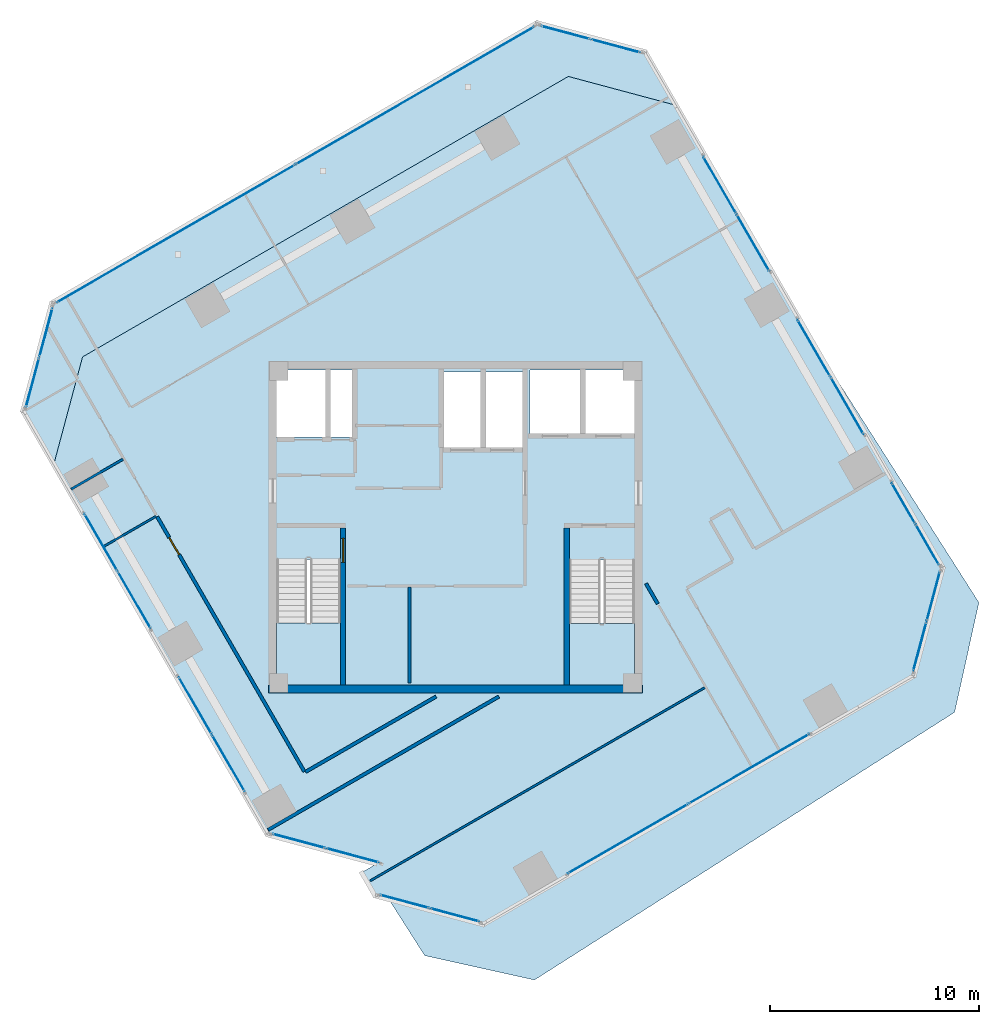
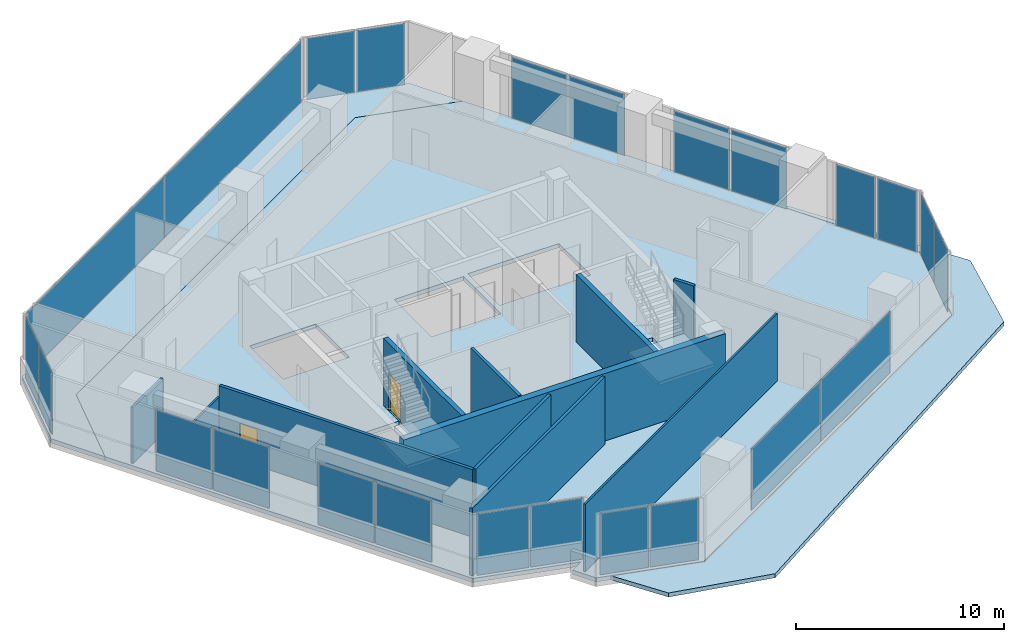
# One storey, part 11 of 16: 24 plates, 11 walls, 5 slabs, 2 doors, 2 openings, 14 elements without a shape of their own.
"""IFC4 building model written with IfcOpenShell, lengths in metres."""

from ifc_helpers import new_model, si_unit, direction, frame, frame_2d, origin, origin_2d, place, context, subcontext, project, spatial, polyline, rectangle, outline, extrude, source, transform, mapped, material, layer, layer_set, type_object, element, fill, aggregate, save


model = new_model("IFC4")

# Units and contexts
model_context = context("Model", 3, precision=1e-05, world=origin(), true_north=direction((0.0, 1.0)))
body_context = subcontext(model_context, "Body", "Model", "MODEL_VIEW")
ifc_project = project(units=[si_unit("LENGTHUNIT", "METRE"), si_unit("AREAUNIT", "SQUARE_METRE"), si_unit("VOLUMEUNIT", "CUBIC_METRE"), si_unit("PLANEANGLEUNIT", "RADIAN"), si_unit("MASSUNIT", "GRAM", prefix="KILO")], contexts=[model_context])

# Site, building, storey
site_placement = place(None, origin())
site = spatial("IfcSite", under=ifc_project, at=site_placement, CompositionType="ELEMENT")
building_placement = place(site_placement, origin())
building = spatial("IfcBuilding", under=site, at=building_placement, Name="Torre Montelarca", CompositionType="ELEMENT")
storey_placement = place(building_placement, frame((0.0, 0.0, 319.800048828125)))
storey = spatial("IfcBuildingStorey", under=building, at=storey_placement, Name="L72", CompositionType="ELEMENT", Elevation=319.800048828125)

# Slabs
ifc_material_1 = material(Name="Concrete C40/50", Category="concrete")
ifc_layer_1 = layer(ifc_material_1, 0.239990234375, Name="Concrete C40/50", Category="concrete")
ifc_layer_set_1 = layer_set([ifc_layer_1], Name="Concrete C40/50")
slab_type_1 = type_object("IfcSlabType", Name="SL-FLR-240", PredefinedType="FLOOR", material=ifc_layer_set_1)
slab_1_placement = place(storey_placement, frame((0.0, 0.0, -0.239990234375)))
element("IfcSlab", 1, at=slab_1_placement, inside=storey, type_object=slab_type_1, Name="L72 Structural Floor Slab", PredefinedType="FLOOR", context=body_context, shape_type="SweptSolid", body=[
    extrude(outline(polyline([(8.98828125, 17.270751953125), (14.17919921875, 15.8798828125), (13.486328125, 15.47998046875), (14.136474609375, 14.35400390625), (19.327392578125, 12.963134765625), (39.938720703125, 24.86328125), (41.32958984375, 30.05419921875), (28.57958984375, 52.1376953125), (23.388671875, 53.528564453125), (0.17919921875, 40.128662109375), (-1.211669921875, 34.937744140625), (8.98828125, 17.270751953125)]), holes=[polyline([(26.550048828125, 24.449951171875), (23.43994140625, 24.449951171875), (23.43994140625, 30.429931640625), (26.550048828125, 30.429931640625), (26.550048828125, 24.449951171875)]), polyline([(12.5, 24.449951171875), (9.449951171875, 24.449951171875), (9.449951171875, 30.4599609375), (12.5, 30.4599609375), (12.5, 24.449951171875)]), polyline([(21.25, 39.39990234375), (21.25, 35.800048828125), (17.39990234375, 35.800048828125), (17.39990234375, 39.39990234375), (21.25, 39.39990234375)]), polyline([(13.1201171875, 36.300048828125), (9.449951171875, 36.300048828125), (9.449951171875, 39.5), (13.1201171875, 39.5), (13.1201171875, 36.300048828125)]), polyline([(26.60009765625, 36.449951171875), (21.550048828125, 36.449951171875), (21.550048828125, 39.5), (26.60009765625, 39.5), (26.60009765625, 36.449951171875)])]), origin(), (0.0, 0.0, 1.0), 0.239990234375),
])
slab_2_placement = place(storey_placement, frame((0.0, 0.0, -0.239990234375)))
element("IfcSlab", 2, at=slab_2_placement, inside=storey, type_object=slab_type_1, Name="L72 Sliding Tray Winter Garden Floor Slab W1", PredefinedType="FLOOR", context=body_context, shape_type="SweptSolid", body=[
    extrude(outline(polyline([(-1.211669921875, 34.937744140625), (0.17919921875, 40.128662109375), (23.388671875, 53.528564453125), (28.57958984375, 52.1376953125), (27.07958984375, 54.73583984375), (21.888671875, 56.126708984375), (-1.32080078125, 42.726806640625), (-2.711669921875, 37.535888671875), (-1.211669921875, 34.937744140625)])), origin(), (0.0, 0.0, 1.0), 0.239990234375),
])
ifc_material_2 = material(Name="Architectural concrete C40/50", Category="concrete")
ifc_layer_2 = layer(ifc_material_2, 0.239990234375, Name="Architectural concrete C40/50", Category="concrete")
ifc_layer_set_2 = layer_set([ifc_layer_2], Name="Architectural concrete C40/50")
slab_type_2 = type_object("IfcSlabType", Name="SL-ROOF-EXT-240", PredefinedType="ROOF", material=ifc_layer_set_2)
slab_3_placement = place(storey_placement, frame((0.0, 0.0, -0.239990234375)))
element("IfcSlab", 3, at=slab_3_placement, inside=storey, type_object=slab_type_2, Name="L71 Setback and Tray Overhang Roof Cap Slab 01", PredefinedType="ROOF", context=body_context, shape_type="SweptSolid", body=[
    extrude(outline(polyline([(41.338134765625, 30.05517578125), (39.945556640625, 24.85791015625), (19.328369140625, 12.95458984375), (14.845458984375, 14.15576171875), (16.52490234375, 11.51953125), (21.771728515625, 10.3564453125), (41.844482421875, 23.14404296875), (43.007568359375, 28.390625), (35.451416015625, 40.251708984375), (41.338134765625, 30.05517578125)])), origin(), (0.0, 0.0, 1.0), 0.239990234375),
])

# Stair, slab
stair_type_1 = type_object("IfcStairType", Name="ST-CORE-ST1", PredefinedType="HALF_TURN_STAIR", material=ifc_material_1)
stair_1_placement = place(storey_placement, origin())
stair_1 = element("IfcStair", 4, at=stair_1_placement, inside=storey, type_object=stair_type_1, Name="L72 Protected Exit Stair ST1", PredefinedType="HALF_TURN_STAIR")
ifc_layer_3 = layer(ifc_material_1, 0.199951171875, Name="Concrete C40/50", Category="concrete")
ifc_layer_set_3 = layer_set([ifc_layer_3], Name="Concrete C40/50")
slab_type_3 = type_object("IfcSlabType", Name="SL-ST-LAND-ST1", PredefinedType="LANDING", material=ifc_layer_set_3)
slab_4_placement = place(storey_placement, frame((0.0, 0.0, 1.89990234375)))
slab_4 = element("IfcSlab", 5, at=slab_4_placement, type_object=slab_type_3, Name="ST1 landing 1", PredefinedType="LANDING", context=body_context, shape_type="SweptSolid", body=[
    extrude(outline(polyline([(9.449951171875, 27.419921875), (9.449951171875, 24.449951171875), (12.5, 24.449951171875), (12.5, 27.419921875), (9.449951171875, 27.419921875)])), origin(), (0.0, 0.0, 1.0), 0.199951171875),
])
aggregate(stair_1, [slab_4])

stair_type_2 = type_object("IfcStairType", Name="ST-CORE-ST2", PredefinedType="HALF_TURN_STAIR", material=ifc_material_1)
stair_2_placement = place(storey_placement, origin())
stair_2 = element("IfcStair", 6, at=stair_2_placement, inside=storey, type_object=stair_type_2, Name="L72 Protected Exit Stair ST2", PredefinedType="HALF_TURN_STAIR")
ifc_layer_4 = layer(ifc_material_1, 0.199951171875, Name="Concrete C40/50", Category="concrete")
ifc_layer_set_4 = layer_set([ifc_layer_4], Name="Concrete C40/50")
slab_type_4 = type_object("IfcSlabType", Name="SL-ST-LAND-ST2", PredefinedType="LANDING", material=ifc_layer_set_4)
slab_5_placement = place(storey_placement, frame((0.0, 0.0, 1.89990234375)))
slab_5 = element("IfcSlab", 7, at=slab_5_placement, type_object=slab_type_4, Name="ST2 landing 1", PredefinedType="LANDING", context=body_context, shape_type="SweptSolid", body=[
    extrude(outline(polyline([(23.43994140625, 27.389892578125), (23.43994140625, 24.449951171875), (26.550048828125, 24.449951171875), (26.550048828125, 27.389892578125), (23.43994140625, 27.389892578125)])), origin(), (0.0, 0.0, 1.0), 0.199951171875),
])
aggregate(stair_2, [slab_5])

# Curtain wall, plates
ifc_material_3 = material(Name="Insulated low-E laminated glass", Category="glass")
curtain_wall_type = type_object("IfcCurtainWallType", Name="CW-SYS-Z4", PredefinedType="USERDEFINED", material=ifc_material_3)
curtain_wall_1_placement = place(storey_placement, origin())
curtain_wall_1 = element("IfcCurtainWall", 8, at=curtain_wall_1_placement, inside=storey, type_object=curtain_wall_type, Name="L72 Curtain Wall Run CW-T3-L72-E02-B1", ObjectType="UNITISED GLAZING", PredefinedType="USERDEFINED")
ifc_layer_5 = layer(ifc_material_3, 0.035888671875, Name="Insulated low-E laminated glass", Category="glass")
ifc_layer_set_5 = layer_set([ifc_layer_5], Name="Insulated low-E laminated glass")
plate_type = type_object("IfcPlateType", Name="CWP-GLZ-36", PredefinedType="CURTAIN_PANEL", material=ifc_layer_set_5)
shared_shape_1 = source(origin(), body_context, "Body", "SweptSolid", [
    extrude(rectangle(XDim=2.592529296875, YDim=0.035888671875, at=origin_2d()), origin(), (0.0, 0.0, 1.0), 3.590087890625),
])
plate_1_placement = place(storey_placement, frame((10.506591796875, 16.99853515625, 0.06494140625), z_axis=(0.0, 0.0, 1.0), x_axis=(0.965925609095, -0.25881985568, 0.0)))
plate_1 = element("IfcPlate", 9, at=plate_1_placement, type_object=plate_type, Name="CW panel 1.1", PredefinedType="CURTAIN_PANEL", context=body_context, shape_type="MappedRepresentation", body=[
    mapped(shared_shape_1, transform((0.0, 0.0, 0.0), scale=1.0)),
])
plate_2_placement = place(storey_placement, frame((13.083251953125, 16.30810546875, 0.06494140625), z_axis=(0.0, 0.0, 1.0), x_axis=(0.965925609095, -0.25881985568, 0.0)))
plate_2 = element("IfcPlate", 10, at=plate_2_placement, type_object=plate_type, Name="CW panel 2.1", PredefinedType="CURTAIN_PANEL", context=body_context, shape_type="MappedRepresentation", body=[
    mapped(shared_shape_1, transform((0.0, 0.0, 0.0), scale=1.0)),
])
aggregate(curtain_wall_1, [plate_1, plate_2])

curtain_wall_2_placement = place(storey_placement, origin())
curtain_wall_2 = element("IfcCurtainWall", 11, at=curtain_wall_2_placement, inside=storey, type_object=curtain_wall_type, Name="L72 Curtain Wall Run CW-T3-L72-E05-B1", ObjectType="UNITISED GLAZING", PredefinedType="USERDEFINED")
shared_shape_2 = source(origin(), body_context, "Body", "SweptSolid", [
    extrude(rectangle(XDim=2.40869140625, YDim=0.035888671875, at=origin_2d()), origin(), (0.0, 0.0, 1.0), 3.590087890625),
])
plate_3_placement = place(storey_placement, frame((15.56591796875, 14.105712890625, 0.06494140625), z_axis=(0.0, 0.0, 1.0), x_axis=(0.965926805359, -0.258815391137, 0.0)))
plate_3 = element("IfcPlate", 12, at=plate_3_placement, type_object=plate_type, Name="CW panel 1.1", PredefinedType="CURTAIN_PANEL", context=body_context, shape_type="MappedRepresentation", body=[
    mapped(shared_shape_2, transform((0.0, 0.0, 0.0), scale=1.0)),
])
plate_4_placement = place(storey_placement, frame((17.965087890625, 13.462890625, 0.06494140625), z_axis=(0.0, 0.0, 1.0), x_axis=(0.965926805359, -0.258815391137, 0.0)))
plate_4 = element("IfcPlate", 13, at=plate_4_placement, type_object=plate_type, Name="CW panel 2.1", PredefinedType="CURTAIN_PANEL", context=body_context, shape_type="MappedRepresentation", body=[
    mapped(shared_shape_2, transform((0.0, 0.0, 0.0), scale=1.0)),
])
aggregate(curtain_wall_2, [plate_3, plate_4])

curtain_wall_3_placement = place(storey_placement, origin())
curtain_wall_3 = element("IfcCurtainWall", 14, at=curtain_wall_3_placement, inside=storey, type_object=curtain_wall_type, Name="L72 Curtain Wall Run CW-T3-L72-E07-B1", ObjectType="UNITISED GLAZING", PredefinedType="USERDEFINED")
plate_5_placement = place(storey_placement, frame((40.187255859375, 26.292724609375, 0.06494140625), z_axis=(0.0, 0.0, 1.0), x_axis=(0.258815391137, 0.965926805359, 0.0)))
plate_5 = element("IfcPlate", 15, at=plate_5_placement, type_object=plate_type, Name="CW panel 1.1", PredefinedType="CURTAIN_PANEL", context=body_context, shape_type="MappedRepresentation", body=[
    mapped(shared_shape_2, transform((0.0, 0.0, 0.0), scale=1.0)),
])
plate_6_placement = place(storey_placement, frame((40.830078125, 28.69189453125, 0.06494140625), z_axis=(0.0, 0.0, 1.0), x_axis=(0.258815391137, 0.965926805359, 0.0)))
plate_6 = element("IfcPlate", 16, at=plate_6_placement, type_object=plate_type, Name="CW panel 2.1", PredefinedType="CURTAIN_PANEL", context=body_context, shape_type="MappedRepresentation", body=[
    mapped(shared_shape_2, transform((0.0, 0.0, 0.0), scale=1.0)),
])
aggregate(curtain_wall_3, [plate_5, plate_6])

curtain_wall_4_placement = place(storey_placement, origin())
curtain_wall_4 = element("IfcCurtainWall", 17, at=curtain_wall_4_placement, inside=storey, type_object=curtain_wall_type, Name="L72 Curtain Wall Run CW-T3-L72-E09-B1", ObjectType="UNITISED GLAZING", PredefinedType="USERDEFINED")
plate_7_placement = place(storey_placement, frame((25.64990234375, 54.984375, 0.06494140625), z_axis=(0.0, 0.0, 1.0), x_axis=(-0.965926805359, 0.258815391137, 0.0)))
plate_7 = element("IfcPlate", 18, at=plate_7_placement, type_object=plate_type, Name="CW panel 1.1", PredefinedType="CURTAIN_PANEL", context=body_context, shape_type="MappedRepresentation", body=[
    mapped(shared_shape_2, transform((0.0, 0.0, 0.0), scale=1.0)),
])
plate_8_placement = place(storey_placement, frame((23.2509765625, 55.627197265625, 0.06494140625), z_axis=(0.0, 0.0, 1.0), x_axis=(-0.965926805359, 0.258815391137, 0.0)))
plate_8 = element("IfcPlate", 19, at=plate_8_placement, type_object=plate_type, Name="CW panel 2.1", PredefinedType="CURTAIN_PANEL", context=body_context, shape_type="MappedRepresentation", body=[
    mapped(shared_shape_2, transform((0.0, 0.0, 0.0), scale=1.0)),
])
aggregate(curtain_wall_4, [plate_7, plate_8])

curtain_wall_5_placement = place(storey_placement, origin())
curtain_wall_5 = element("IfcCurtainWall", 20, at=curtain_wall_5_placement, inside=storey, type_object=curtain_wall_type, Name="L72 Curtain Wall Run CW-T3-L72-E11-B1", ObjectType="UNITISED GLAZING", PredefinedType="USERDEFINED")
plate_9_placement = place(storey_placement, frame((-1.5693359375, 41.297119140625, 0.06494140625), z_axis=(0.0, 0.0, 1.0), x_axis=(-0.258815391137, -0.965926805359, 0.0)))
plate_9 = element("IfcPlate", 21, at=plate_9_placement, type_object=plate_type, Name="CW panel 1.1", PredefinedType="CURTAIN_PANEL", context=body_context, shape_type="MappedRepresentation", body=[
    mapped(shared_shape_2, transform((0.0, 0.0, 0.0), scale=1.0)),
])
plate_10_placement = place(storey_placement, frame((-2.212158203125, 38.898193359375, 0.06494140625), z_axis=(0.0, 0.0, 1.0), x_axis=(-0.258815391137, -0.965926805359, 0.0)))
plate_10 = element("IfcPlate", 22, at=plate_10_placement, type_object=plate_type, Name="CW panel 2.1", PredefinedType="CURTAIN_PANEL", context=body_context, shape_type="MappedRepresentation", body=[
    mapped(shared_shape_2, transform((0.0, 0.0, 0.0), scale=1.0)),
])
aggregate(curtain_wall_5, [plate_9, plate_10])

curtain_wall_6_placement = place(storey_placement, origin())
curtain_wall_6 = element("IfcCurtainWall", 23, at=curtain_wall_6_placement, inside=storey, type_object=curtain_wall_type, Name="L72 Curtain Wall Run CW-T3-L72-E10-B1", ObjectType="UNITISED GLAZING", PredefinedType="USERDEFINED")
shared_shape_3 = source(origin(), body_context, "Body", "SweptSolid", [
    extrude(rectangle(XDim=13.12158203125, YDim=0.035888671875, at=origin_2d()), origin(), (0.0, 0.0, 1.0), 3.590087890625),
])
plate_11_placement = place(storey_placement, frame((16.063232421875, 52.61328125, 0.06494140625), z_axis=(0.0, 0.0, 1.0), x_axis=(-0.866025339582, -0.500000111201, 0.0)))
plate_11 = element("IfcPlate", 24, at=plate_11_placement, type_object=plate_type, Name="CW panel 1.1", PredefinedType="CURTAIN_PANEL", context=body_context, shape_type="MappedRepresentation", body=[
    mapped(shared_shape_3, transform((0.0, 0.0, 0.0), scale=1.0)),
])
plate_12_placement = place(storey_placement, frame((4.634521484375, 46.014892578125, 0.06494140625), z_axis=(0.0, 0.0, 1.0), x_axis=(-0.866025339582, -0.500000111201, 0.0)))
plate_12 = element("IfcPlate", 25, at=plate_12_placement, type_object=plate_type, Name="CW panel 2.1", PredefinedType="CURTAIN_PANEL", context=body_context, shape_type="MappedRepresentation", body=[
    mapped(shared_shape_3, transform((0.0, 0.0, 0.0), scale=1.0)),
])
aggregate(curtain_wall_6, [plate_11, plate_12])

curtain_wall_7_placement = place(storey_placement, origin())
curtain_wall_7 = element("IfcCurtainWall", 26, at=curtain_wall_7_placement, inside=storey, type_object=curtain_wall_type, Name="L72 Curtain Wall Run CW-T3-L72-E01-B1", ObjectType="UNITISED GLAZING", PredefinedType="USERDEFINED")
shared_shape_4 = source(origin(), body_context, "Body", "SweptSolid", [
    extrude(rectangle(XDim=3.107421875, YDim=0.035888671875, at=origin_2d()), origin(), (0.0, 0.0, 1.0), 3.590087890625),
])
plate_13_placement = place(storey_placement, frame((1.05517578125, 31.271240234375, 0.06494140625), z_axis=(0.0, 0.0, 1.0), x_axis=(0.500000242082, -0.866025264018, 0.0)))
plate_13 = element("IfcPlate", 27, at=plate_13_placement, type_object=plate_type, Name="CW panel 1.1", PredefinedType="CURTAIN_PANEL", context=body_context, shape_type="MappedRepresentation", body=[
    mapped(shared_shape_4, transform((0.0, 0.0, 0.0), scale=1.0)),
])
plate_14_placement = place(storey_placement, frame((2.646484375, 28.51513671875, 0.06494140625), z_axis=(0.0, 0.0, 1.0), x_axis=(0.500000242082, -0.866025264018, 0.0)))
plate_14 = element("IfcPlate", 28, at=plate_14_placement, type_object=plate_type, Name="CW panel 2.1", PredefinedType="CURTAIN_PANEL", context=body_context, shape_type="MappedRepresentation", body=[
    mapped(shared_shape_4, transform((0.0, 0.0, 0.0), scale=1.0)),
])
aggregate(curtain_wall_7, [plate_13, plate_14])

curtain_wall_8_placement = place(storey_placement, origin())
curtain_wall_8 = element("IfcCurtainWall", 29, at=curtain_wall_8_placement, inside=storey, type_object=curtain_wall_type, Name="L72 Curtain Wall Run CW-T3-L72-E01-B2", ObjectType="UNITISED GLAZING", PredefinedType="USERDEFINED")
plate_15_placement = place(storey_placement, frame((5.55517578125, 23.47705078125, 0.06494140625), z_axis=(0.0, 0.0, 1.0), x_axis=(0.500000242082, -0.866025264018, 0.0)))
plate_15 = element("IfcPlate", 30, at=plate_15_placement, type_object=plate_type, Name="CW panel 1.1", PredefinedType="CURTAIN_PANEL", context=body_context, shape_type="MappedRepresentation", body=[
    mapped(shared_shape_4, transform((0.0, 0.0, 0.0), scale=1.0)),
])
plate_16_placement = place(storey_placement, frame((7.146484375, 20.720947265625, 0.06494140625), z_axis=(0.0, 0.0, 1.0), x_axis=(0.500000242082, -0.866025264018, 0.0)))
plate_16 = element("IfcPlate", 31, at=plate_16_placement, type_object=plate_type, Name="CW panel 2.1", PredefinedType="CURTAIN_PANEL", context=body_context, shape_type="MappedRepresentation", body=[
    mapped(shared_shape_4, transform((0.0, 0.0, 0.0), scale=1.0)),
])
aggregate(curtain_wall_8, [plate_15, plate_16])

curtain_wall_9_placement = place(storey_placement, origin())
curtain_wall_9 = element("IfcCurtainWall", 32, at=curtain_wall_9_placement, inside=storey, type_object=curtain_wall_type, Name="L72 Curtain Wall Run CW-T3-L72-E08-B2", ObjectType="UNITISED GLAZING", PredefinedType="USERDEFINED")
plate_17_placement = place(storey_placement, frame((36.712646484375, 37.791015625, 0.06494140625), z_axis=(0.0, 0.0, 1.0), x_axis=(-0.500000242082, 0.866025264018, 0.0)))
plate_17 = element("IfcPlate", 33, at=plate_17_placement, type_object=plate_type, Name="CW panel 1.1", PredefinedType="CURTAIN_PANEL", context=body_context, shape_type="MappedRepresentation", body=[
    mapped(shared_shape_4, transform((0.0, 0.0, 0.0), scale=1.0)),
])
plate_18_placement = place(storey_placement, frame((35.121337890625, 40.547119140625, 0.06494140625), z_axis=(0.0, 0.0, 1.0), x_axis=(-0.500000242082, 0.866025264018, 0.0)))
plate_18 = element("IfcPlate", 34, at=plate_18_placement, type_object=plate_type, Name="CW panel 2.1", PredefinedType="CURTAIN_PANEL", context=body_context, shape_type="MappedRepresentation", body=[
    mapped(shared_shape_4, transform((0.0, 0.0, 0.0), scale=1.0)),
])
aggregate(curtain_wall_9, [plate_17, plate_18])

curtain_wall_10_placement = place(storey_placement, origin())
curtain_wall_10 = element("IfcCurtainWall", 35, at=curtain_wall_10_placement, inside=storey, type_object=curtain_wall_type, Name="L72 Curtain Wall Run CW-T3-L72-E08-B3", ObjectType="UNITISED GLAZING", PredefinedType="USERDEFINED")
plate_19_placement = place(storey_placement, frame((32.212646484375, 45.585205078125, 0.06494140625), z_axis=(0.0, 0.0, 1.0), x_axis=(-0.500000242082, 0.866025264018, 0.0)))
plate_19 = element("IfcPlate", 36, at=plate_19_placement, type_object=plate_type, Name="CW panel 1.1", PredefinedType="CURTAIN_PANEL", context=body_context, shape_type="MappedRepresentation", body=[
    mapped(shared_shape_4, transform((0.0, 0.0, 0.0), scale=1.0)),
])
plate_20_placement = place(storey_placement, frame((30.621337890625, 48.34130859375, 0.06494140625), z_axis=(0.0, 0.0, 1.0), x_axis=(-0.500000242082, 0.866025264018, 0.0)))
plate_20 = element("IfcPlate", 37, at=plate_20_placement, type_object=plate_type, Name="CW panel 2.1", PredefinedType="CURTAIN_PANEL", context=body_context, shape_type="MappedRepresentation", body=[
    mapped(shared_shape_4, transform((0.0, 0.0, 0.0), scale=1.0)),
])
aggregate(curtain_wall_10, [plate_19, plate_20])

curtain_wall_11_placement = place(storey_placement, origin())
curtain_wall_11 = element("IfcCurtainWall", 38, at=curtain_wall_11_placement, inside=storey, type_object=curtain_wall_type, Name="L72 Curtain Wall Run CW-T3-L72-E06-B1", ObjectType="UNITISED GLAZING", PredefinedType="USERDEFINED")
shared_shape_5 = source(origin(), body_context, "Body", "SweptSolid", [
    extrude(rectangle(XDim=6.607421875, YDim=0.035888671875, at=origin_2d()), origin(), (0.0, 0.0, 1.0), 3.590087890625),
])
plate_21_placement = place(storey_placement, frame((26.241455078125, 17.105224609375, 0.06494140625), z_axis=(0.0, 0.0, 1.0), x_axis=(0.866025749263, 0.499999401612, 0.0)))
plate_21 = element("IfcPlate", 39, at=plate_21_placement, type_object=plate_type, Name="CW panel 1.1", PredefinedType="CURTAIN_PANEL", context=body_context, shape_type="MappedRepresentation", body=[
    mapped(shared_shape_5, transform((0.0, 0.0, 0.0), scale=1.0)),
])
plate_22_placement = place(storey_placement, frame((32.028564453125, 20.446533203125, 0.06494140625), z_axis=(0.0, 0.0, 1.0), x_axis=(0.866025749263, 0.499999401612, 0.0)))
plate_22 = element("IfcPlate", 40, at=plate_22_placement, type_object=plate_type, Name="CW panel 2.1", PredefinedType="CURTAIN_PANEL", context=body_context, shape_type="MappedRepresentation", body=[
    mapped(shared_shape_5, transform((0.0, 0.0, 0.0), scale=1.0)),
])
aggregate(curtain_wall_11, [plate_21, plate_22])

curtain_wall_12_placement = place(storey_placement, origin())
curtain_wall_12 = element("IfcCurtainWall", 41, at=curtain_wall_12_placement, inside=storey, type_object=curtain_wall_type, Name="L72 Curtain Wall Run CW-T3-L72-E08-B1", ObjectType="UNITISED GLAZING", PredefinedType="USERDEFINED")
shared_shape_6 = source(origin(), body_context, "Body", "SweptSolid", [
    extrude(rectangle(XDim=2.214599609375, YDim=0.035888671875, at=origin_2d()), origin(), (0.0, 0.0, 1.0), 3.590087890625),
])
plate_23_placement = place(storey_placement, frame((40.54296875, 31.156494140625, 0.06494140625), z_axis=(0.0, 0.0, 1.0), x_axis=(-0.49999585377, 0.866027797598, 0.0)))
plate_23 = element("IfcPlate", 42, at=plate_23_placement, type_object=plate_type, Name="CW panel 1.1", PredefinedType="CURTAIN_PANEL", context=body_context, shape_type="MappedRepresentation", body=[
    mapped(shared_shape_6, transform((0.0, 0.0, 0.0), scale=1.0)),
])
plate_24_placement = place(storey_placement, frame((39.398193359375, 33.139404296875, 0.06494140625), z_axis=(0.0, 0.0, 1.0), x_axis=(-0.49999585377, 0.866027797598, 0.0)))
plate_24 = element("IfcPlate", 43, at=plate_24_placement, type_object=plate_type, Name="CW panel 2.1", PredefinedType="CURTAIN_PANEL", context=body_context, shape_type="MappedRepresentation", body=[
    mapped(shared_shape_6, transform((0.0, 0.0, 0.0), scale=1.0)),
])
aggregate(curtain_wall_12, [plate_23, plate_24])

# Wall, opening, door
ifc_layer_6 = layer(ifc_material_1, 0.25, Name="Concrete C40/50", Category="concrete")
ifc_layer_set_6 = layer_set([ifc_layer_6], Name="Concrete C40/50")
wall_type_1 = type_object("IfcWallType", Name="CW-SHAFT-250", PredefinedType="SHEAR", material=ifc_layer_set_6)
wall_1_placement = place(storey_placement, frame((12.625, 24.4599609375, 0.0), z_axis=(0.0, 0.0, 1.0), x_axis=(0.0, 1.0, 0.0)))
wall_1 = element("IfcWall", 44, at=wall_1_placement, inside=storey, type_object=wall_type_1, Name="L72 Core Shear Wall SH-ST1-E", PredefinedType="SHEAR", context=body_context, shape_type="SweptSolid", body=[
    extrude(rectangle(XDim=7.489990234375, YDim=0.25, at=frame_2d((3.7451171875, 0.0))), origin(), (0.0, 0.0, 1.0), 3.9599609375),
])
opening_1_placement = place(wall_1_placement, frame((5.85009765625, 0.0, 0.0)))
opening_1 = element("IfcOpeningElement", 45, at=opening_1_placement, cuts=wall_1, Name="Opening FD-ST1", PredefinedType="OPENING", context=body_context, shape_type="SweptSolid", body=[
    extrude(rectangle(XDim=1.14990234375, YDim=2.199951171875, at=frame_2d((0.574951171875, 1.10009765625))), frame((0.0, 0.135009765625, 0.0), z_axis=(0.0, -1.0, 0.0), x_axis=(1.0, 0.0, 0.0)), (0.0, 0.0, 1.0), 0.27001953125),
])
ifc_material_4 = material(Name="Galvanized steel fire door", Category="steel")
door_type_1 = type_object("IfcDoorType", Name="DR-STAIR-115", OperationType="NOTDEFINED", PredefinedType="DOOR", material=ifc_material_4)
shared_shape_7 = source(origin(), body_context, "Body", "SweptSolid", [
    extrude(rectangle(XDim=1.14990234375, YDim=2.199951171875, at=frame_2d((0.574951171875, 1.10009765625))), frame((0.0, 0.02490234375, 0.0), z_axis=(0.0, -1.0, 0.0), x_axis=(1.0, 0.0, 0.0)), (0.0, 0.0, 1.0), 0.050048828125),
])
door_1_placement = place(opening_1_placement, origin())
door_1 = element("IfcDoor", 46, at=door_1_placement, inside=storey, type_object=door_type_1, Name="L72 Exit Stair ST1 Fire Door", OperationType="SINGLE_SWING_RIGHT", OverallHeight=2.199951171875, OverallWidth=1.14990234375, PredefinedType="DOOR", context=body_context, shape_type="MappedRepresentation", body=[
    mapped(shared_shape_7, transform((0.0, 0.0, 0.0), scale=1.0)),
])
fill(opening_1, door_1)

# Walls
wall_2_placement = place(storey_placement, frame((23.31494140625, 24.4599609375, 0.0), z_axis=(0.0, 0.0, 1.0), x_axis=(0.0, 1.0, 0.0)))
element("IfcWall", 47, at=wall_2_placement, inside=storey, type_object=wall_type_1, Name="L72 Core Shear Wall SH-ST2-W", PredefinedType="SHEAR", context=body_context, shape_type="SweptSolid", body=[
    extrude(rectangle(XDim=7.489990234375, YDim=0.25, at=frame_2d((3.7451171875, 0.0))), origin(), (0.0, 0.0, 1.0), 3.9599609375),
])
ifc_layer_7 = layer(ifc_material_1, 0.3798828125, Name="Concrete C40/50", Category="concrete")
ifc_layer_set_7 = layer_set([ifc_layer_7], Name="Concrete C40/50")
wall_type_2 = type_object("IfcWallType", Name="CW-SHEAR-380", PredefinedType="SHEAR", material=ifc_layer_set_7)
wall_3_placement = place(storey_placement, frame((9.070068359375, 24.260009765625, 0.0), z_axis=(0.0, 0.0, 1.0), x_axis=(1.0, 0.0, 0.0)))
element("IfcWall", 48, at=wall_3_placement, inside=storey, type_object=wall_type_2, Name="L72 Core Shear Wall CW-S1", PredefinedType="SHEAR", context=body_context, shape_type="SweptSolid", body=[
    extrude(rectangle(XDim=17.85986328125, YDim=0.3798828125, at=frame_2d((8.929931640625, 0.0))), origin(), (0.0, 0.0, 1.0), 3.9599609375),
])
ifc_material_5 = material(Name="Gypsum plasterboard on steel stud", Category="steel")
ifc_layer_8 = layer(ifc_material_5, 0.159912109375, Name="Gypsum plasterboard on steel stud", Category="steel")
ifc_layer_set_8 = layer_set([ifc_layer_8], Name="Gypsum plasterboard on steel stud")
wall_type_3 = type_object("IfcWallType", Name="PW-FIRE-160", PredefinedType="PARTITIONING", material=ifc_layer_set_8)
wall_4_placement = place(storey_placement, frame((15.800048828125, 24.5400390625, 0.0), z_axis=(0.0, 0.0, 1.0), x_axis=(0.0, 1.0, 0.0)))
element("IfcWall", 49, at=wall_4_placement, inside=storey, type_object=wall_type_3, Name="L72 Interior Partition CW-L72-FRD1", PredefinedType="PARTITIONING", context=body_context, shape_type="SweptSolid", body=[
    extrude(rectangle(XDim=4.599853515625, YDim=0.159912109375, at=frame_2d((2.2998046875, 0.0))), origin(), (0.0, 0.0, 1.0), 3.9599609375),
])

# Wall, opening, door
wall_5_placement = place(storey_placement, frame((3.741943359375, 32.497802734375, 0.0), z_axis=(0.0, 0.0, 1.0), x_axis=(0.500005830994, -0.866022037233, 0.0)))
wall_5 = element("IfcWall", 50, at=wall_5_placement, inside=storey, type_object=wall_type_3, Name="L72 Interior Partition W-L72-SOCCN", PredefinedType="PARTITIONING", context=body_context, shape_type="SweptSolid", body=[
    extrude(rectangle(XDim=14.070068359375, YDim=0.159912109375, at=frame_2d((7.03515625, 0.0))), origin(), (0.0, 0.0, 1.0), 3.9599609375),
])
opening_2_placement = place(wall_5_placement, frame((1.14990234375, 0.0, 0.0)))
opening_2 = element("IfcOpeningElement", 51, at=opening_2_placement, cuts=wall_5, Name="Opening FD-095", PredefinedType="OPENING", context=body_context, shape_type="SweptSolid", body=[
    extrude(rectangle(XDim=0.949951171875, YDim=2.14990234375, at=frame_2d((0.47509765625, 1.074951171875))), frame((0.0, 0.08984375, 0.0), z_axis=(0.0, -1.0, 0.0), x_axis=(1.0, 0.0, 0.0)), (0.0, 0.0, 1.0), 0.179931640625),
])
ifc_material_6 = material(Name="Timber fire-rated room door", Category="wood")
door_type_2 = type_object("IfcDoorType", Name="DR-FIRE-095", OperationType="NOTDEFINED", PredefinedType="DOOR", material=ifc_material_6)
shared_shape_8 = source(origin(), body_context, "Body", "SweptSolid", [
    extrude(rectangle(XDim=0.949951171875, YDim=2.14990234375, at=frame_2d((0.47509765625, 1.074951171875))), frame((0.0, 0.02490234375, 0.0), z_axis=(0.0, -1.0, 0.0), x_axis=(1.0, 0.0, 0.0)), (0.0, 0.0, 1.0), 0.050048828125),
])
door_2_placement = place(opening_2_placement, origin())
door_2 = element("IfcDoor", 52, at=door_2_placement, inside=storey, type_object=door_type_2, Name="L72 Interior Door 08", OperationType="SINGLE_SWING_RIGHT", OverallHeight=2.14990234375, OverallWidth=0.949951171875, PredefinedType="DOOR", context=body_context, shape_type="MappedRepresentation", body=[
    mapped(shared_shape_8, transform((0.0, 0.0, 0.0), scale=1.0)),
])
fill(opening_2, door_2)

# Walls
wall_6_placement = place(storey_placement, frame((10.83154296875, 20.298095703125, 0.0), z_axis=(0.0, 0.0, 1.0), x_axis=(0.866042809144, 0.499969851821, 0.0)))
element("IfcWall", 53, at=wall_6_placement, inside=storey, type_object=wall_type_3, Name="L72 Interior Partition W-L72-SOCCW3", PredefinedType="PARTITIONING", context=body_context, shape_type="SweptSolid", body=[
    extrude(rectangle(XDim=7.2041015625, YDim=0.159912109375, at=frame_2d((3.60205078125, 0.0))), origin(), (0.0, 0.0, 1.0), 3.9599609375),
])
wall_7_placement = place(storey_placement, frame((27.10009765625, 29.300537109375, 0.0), z_axis=(0.0, 0.0, 1.0), x_axis=(0.499929606556, -0.866066041644, 0.0)))
element("IfcWall", 54, at=wall_7_placement, inside=storey, type_object=wall_type_3, Name="L72 Interior Partition W-L72-SOCCN3", PredefinedType="PARTITIONING", context=body_context, shape_type="SweptSolid", body=[
    extrude(rectangle(XDim=1.122314453125, YDim=0.159912109375, at=frame_2d((0.56103515625, 0.0))), origin(), (0.0, 0.0, 1.0), 3.9599609375),
])
wall_8_placement = place(storey_placement, frame((9.044189453125, 17.533935546875, 0.0), z_axis=(0.0, 0.0, 1.0), x_axis=(0.866029119881, 0.499993563477, 0.0)))
element("IfcWall", 55, at=wall_8_placement, inside=storey, type_object=wall_type_3, Name="L72 Interior Partition W-L72-ECS", PredefinedType="PARTITIONING", context=body_context, shape_type="SweptSolid", body=[
    extrude(rectangle(XDim=12.732177734375, YDim=0.159912109375, at=frame_2d((6.3662109375, 0.0))), origin(), (0.0, 0.0, 1.0), 3.9599609375),
])
ifc_material_7 = material(Name="Acoustic laminated glass partition", Category="glass")
ifc_layer_9 = layer(ifc_material_7, 0.10009765625, Name="Acoustic laminated glass partition", Category="glass")
ifc_layer_set_9 = layer_set([ifc_layer_9], Name="Acoustic laminated glass partition")
wall_type_4 = type_object("IfcWallType", Name="PW-GLAZ-100", PredefinedType="PARTITIONING", material=ifc_layer_set_9)
wall_9_placement = place(storey_placement, frame((1.21923828125, 31.08740234375, 0.0), z_axis=(0.0, 0.0, 1.0), x_axis=(0.866062911188, 0.499935029643, 0.0)))
element("IfcWall", 56, at=wall_9_placement, inside=storey, type_object=wall_type_4, Name="L72 Interior Partition W-L72-SWCDIV", PredefinedType="PARTITIONING", context=body_context, shape_type="SweptSolid", body=[
    extrude(rectangle(XDim=2.85009765625, YDim=0.10009765625, at=frame_2d((1.425048828125, 0.0))), origin(), (0.0, 0.0, 1.0), 3.294921875),
])
wall_10_placement = place(storey_placement, frame((13.917236328125, 15.093505859375, 0.0), z_axis=(0.0, 0.0, 1.0), x_axis=(0.86602564517, 0.499999581907, 0.0)))
element("IfcWall", 57, at=wall_10_placement, inside=storey, type_object=wall_type_4, Name="L72 Interior Partition W-L72-SEDIV-1", PredefinedType="PARTITIONING", context=body_context, shape_type="SweptSolid", body=[
    extrude(rectangle(XDim=18.47998046875, YDim=0.10009765625, at=frame_2d((9.239990234375, 0.0))), origin(), (0.0, 0.0, 1.0), 3.9599609375),
])
ifc_layer_10 = layer(ifc_material_5, 0.114990234375, Name="Gypsum plasterboard on steel stud", Category="steel")
ifc_layer_set_10 = layer_set([ifc_layer_10], Name="Gypsum plasterboard on steel stud")
wall_type_5 = type_object("IfcWallType", Name="PW-PART-115", PredefinedType="PARTITIONING", material=ifc_layer_set_10)
wall_11_placement = place(storey_placement, frame((-0.355712890625, 33.815185546875, 0.0), z_axis=(0.0, 0.0, 1.0), x_axis=(0.866004402611, 0.500036373335, 0.0)))
element("IfcWall", 58, at=wall_11_placement, inside=storey, type_object=wall_type_5, Name="L72 Interior Partition W-L72-WCD", PredefinedType="PARTITIONING", context=body_context, shape_type="SweptSolid", body=[
    extrude(rectangle(XDim=2.849853515625, YDim=0.114990234375, at=frame_2d((1.4248046875, 0.0))), origin(), (0.0, 0.0, 1.0), 3.294921875),
])

save(model, "model.ifc")
